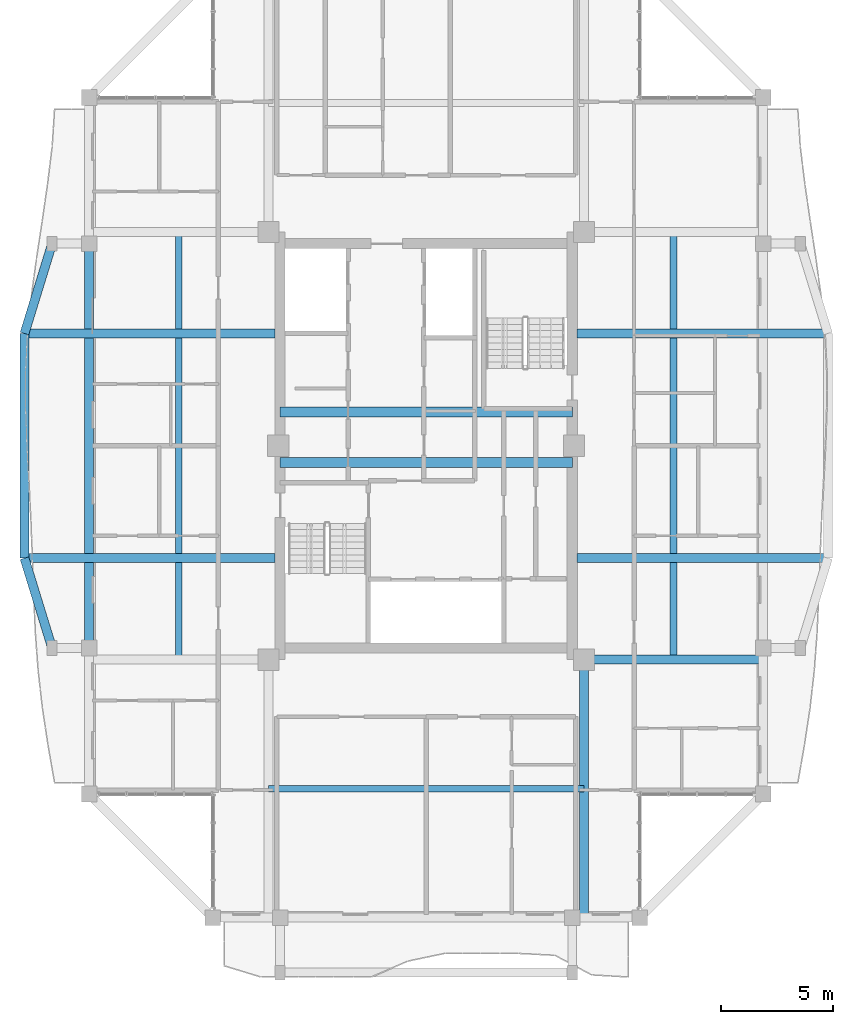
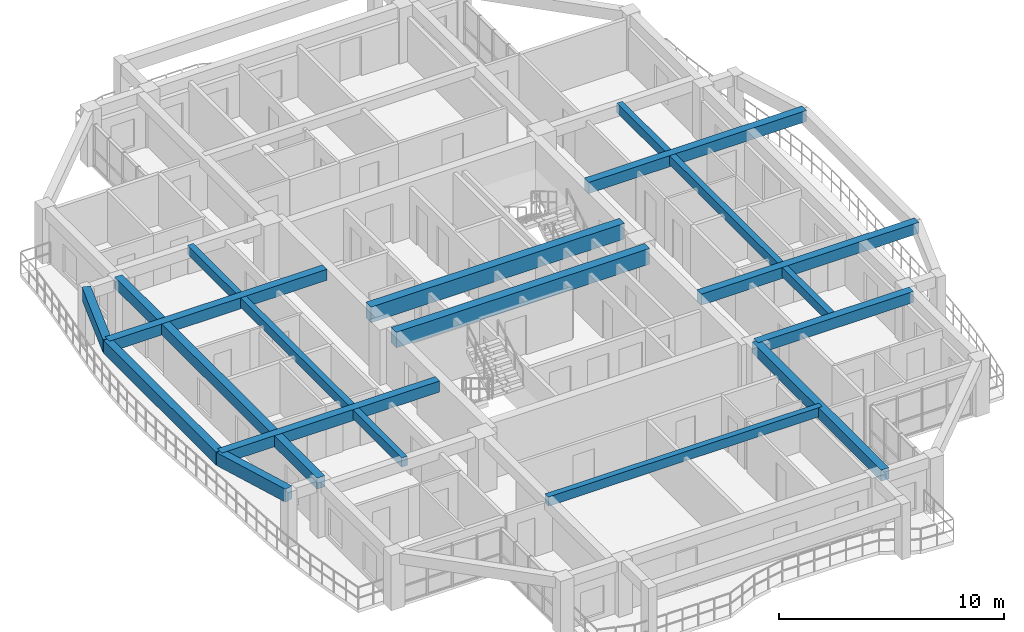
# One storey, part 5 of 24: 15 beams.
"""IFC4 building model written with IfcOpenShell, lengths in metres."""

import ifcopenshell
import ifcopenshell.guid

model = None  # the IFC model being written
_history = None  # IfcOwnerHistory: only IFC2X3 demands one
_inside = {}  # id of a spatial element -> (the spatial element, [elements in it])
_under = {}  # id of a project, library or spatial element -> (it, [spatial elements below it])
_declared = {}  # id of a project -> (the project, [libraries it declares])
_typed = {}  # id of a type object -> (the type object, [elements of that type])
_made_of = {}  # id of a material, layer set ... -> (it, [elements and type objects made of it])


def new_model(schema):
    """Start an empty IFC model of exactly this schema.

    Asked for "IFC4X3", IfcOpenShell would pick the latest addendum, in which some entities
    have other attributes; the version numbers below select the first issue.
    IFC2X3 requires an IfcOwnerHistory on every rooted entity: one is made here for all.
    """
    global model, _history
    if schema == "IFC4X3":
        model = ifcopenshell.file(schema_version=(4, 3, 0, 0))
    else:
        model = ifcopenshell.file(schema=schema)
    _inside.clear()
    _under.clear()
    _declared.clear()
    _typed.clear()
    _made_of.clear()
    _history = None
    if model.schema == "IFC2X3":
        org = make("IfcOrganization", Name="unknown")
        user = make(
            "IfcPersonAndOrganization",
            ThePerson=make("IfcPerson", FamilyName="unknown"),
            TheOrganization=org,
        )
        app = make(
            "IfcApplication",
            ApplicationDeveloper=org,
            Version="unknown",
            ApplicationFullName="unknown",
            ApplicationIdentifier="unknown",
        )
        _history = make(
            "IfcOwnerHistory",
            OwningUser=user,
            OwningApplication=app,
            ChangeAction="ADDED",
            CreationDate=0,
        )
    return model


def make(cls, **values):
    """One entity of the class cls with the attributes given. An attribute that is None is left unset."""
    return model.create_entity(
        cls, **{name: value for name, value in values.items() if value is not None}
    )


def rooted(cls, **values):
    """An entity with a GlobalId (a new one), such as an element, a storey or a relation."""
    return make(cls, GlobalId=ifcopenshell.guid.new(), OwnerHistory=_history, **values)


def si_unit(unit_type, name, prefix=None):
    """IfcSIUnit, for example si_unit("LENGTHUNIT", "METRE", prefix="MILLI")."""
    return make("IfcSIUnit", UnitType=unit_type, Prefix=prefix, Name=name)


def assignment(units):
    """IfcUnitAssignment: the units of a project."""
    return None if units is None else make("IfcUnitAssignment", Units=units)


def point(xyz):
    """IfcCartesianPoint."""
    return None if xyz is None else make("IfcCartesianPoint", Coordinates=xyz)


def direction(xyz):
    """IfcDirection."""
    return None if xyz is None else make("IfcDirection", DirectionRatios=xyz)


def frame(location, z_axis=None, x_axis=None):
    """IfcAxis2Placement3D, a coordinate frame: its origin and axes. An axis left out is left unset."""
    return make(
        "IfcAxis2Placement3D",
        Location=point(location),
        Axis=direction(z_axis),
        RefDirection=direction(x_axis),
    )


def frame_2d(location, x_axis=None):
    """IfcAxis2Placement2D, a coordinate frame in the plane: its origin and x axis."""
    return make(
        "IfcAxis2Placement2D", Location=point(location), RefDirection=direction(x_axis)
    )


def origin():
    """The frame at (0, 0, 0) with its axes left unset."""
    return frame((0.0, 0.0, 0.0))


def origin_2d():
    """The frame at (0, 0) in the plane with its x axis left unset."""
    return frame_2d((0.0, 0.0))


def place(relative_to, where):
    """IfcLocalPlacement: puts the frame where relative to a parent placement (None: the world)."""
    return make(
        "IfcLocalPlacement", PlacementRelTo=relative_to, RelativePlacement=where
    )


def context(
    kind, dimensions, precision=None, world=None, true_north=None, identifier=None
):
    """IfcGeometricRepresentationContext, for example the 3D "Model" context."""
    return make(
        "IfcGeometricRepresentationContext",
        ContextIdentifier=identifier,
        ContextType=kind,
        CoordinateSpaceDimension=dimensions,
        Precision=precision,
        WorldCoordinateSystem=world,
        TrueNorth=true_north,
    )


def subcontext(parent, identifier, kind, view, scale=None):
    """IfcGeometricRepresentationSubContext, for example "Body" below "Model"."""
    return make(
        "IfcGeometricRepresentationSubContext",
        ContextIdentifier=identifier,
        ContextType=kind,
        ParentContext=parent,
        TargetScale=scale,
        TargetView=view,
    )


def project(units=None, contexts=None):
    """IfcProject with its units and contexts."""
    return rooted(
        "IfcProject",
        Name="project",
        RepresentationContexts=contexts,
        UnitsInContext=assignment(units),
    )


def spatial(cls, under=None, at=None, **own):
    """A site, building, storey or space (cls), placed at a placement, below another one or the project."""
    s = rooted(cls, ObjectPlacement=at, **own)
    if under is not None:
        _under.setdefault(under.id(), (under, []))[1].append(s)
    return s


def profile(cls, at=None, kind="AREA", **sizes):
    """A parametric profile (cls). Its sizes go by their IFC names, for example OverallWidth=200.0."""
    return make(cls, ProfileType=kind, Position=at, **sizes)


def rectangle(**sizes):
    """IfcRectangleProfileDef."""
    return profile("IfcRectangleProfileDef", **sizes)


def extrude(swept, where, along, depth):
    """IfcExtrudedAreaSolid: the profile swept, set in the frame where, extruded along a direction by depth."""
    return make(
        "IfcExtrudedAreaSolid",
        SweptArea=swept,
        Position=where,
        ExtrudedDirection=direction(along),
        Depth=depth,
    )


def shape(context_of_items, identifier, shape_type, items):
    """IfcShapeRepresentation: the items that make up one representation, for example the "Body"."""
    return make(
        "IfcShapeRepresentation",
        ContextOfItems=context_of_items,
        RepresentationIdentifier=identifier,
        RepresentationType=shape_type,
        Items=items,
    )


def source(mapping_origin, context_of_items, identifier, shape_type, items):
    """IfcRepresentationMap: a shape defined once, which mapped items show again and again."""
    return make(
        "IfcRepresentationMap",
        MappingOrigin=mapping_origin,
        MappedRepresentation=shape(context_of_items, identifier, shape_type, items),
    )


def transform(
    local_origin,
    x_axis=None,
    y_axis=None,
    z_axis=None,
    scale=None,
    scale2=None,
    scale3=None,
    uniform=True,
):
    """IfcCartesianTransformationOperator3D, or its non-uniform kind. x_axis, y_axis, z_axis: its Axis1, 2, 3."""
    if uniform:
        return make(
            "IfcCartesianTransformationOperator3D",
            Axis1=direction(x_axis),
            Axis2=direction(y_axis),
            LocalOrigin=point(local_origin),
            Scale=scale,
            Axis3=direction(z_axis),
        )
    return make(
        "IfcCartesianTransformationOperator3DnonUniform",
        Axis1=direction(x_axis),
        Axis2=direction(y_axis),
        LocalOrigin=point(local_origin),
        Scale=scale,
        Axis3=direction(z_axis),
        Scale2=scale2,
        Scale3=scale3,
    )


def mapped(mapping_source, mapping_target):
    """IfcMappedItem: shows the shape of a source again, moved by a transform."""
    return make(
        "IfcMappedItem", MappingSource=mapping_source, MappingTarget=mapping_target
    )


def material(Name=None, Category=None):
    """IfcMaterial."""
    return make("IfcMaterial", Name=Name, Category=Category)


def material_profile(
    of_material, cross_section, Name=None, Category=None, Priority=None
):
    """IfcMaterialProfile: a cross section and its material."""
    return make(
        "IfcMaterialProfile",
        Name=Name,
        Material=of_material,
        Profile=cross_section,
        Priority=Priority,
        Category=Category,
    )


def profile_set(profiles, Name=None, composite=None):
    """IfcMaterialProfileSet."""
    return make(
        "IfcMaterialProfileSet",
        Name=Name,
        MaterialProfiles=profiles,
        CompositeProfile=composite,
    )


def made_of(thing, what):
    """Note that an element or type object is made of a material, layer set ...; save() writes the relation."""
    if what is not None:
        _made_of.setdefault(what.id(), (what, []))[1].append(thing)
    return thing


def type_object(cls, material=None, **own):
    """A type object (cls), such as IfcWallType, which elements share."""
    return made_of(rooted(cls, **own), material)


def element(
    cls,
    number,
    at=None,
    inside=None,
    cuts=None,
    type_object=None,
    material=None,
    context=None,
    identifier="Body",
    shape_type=None,
    held_by="IfcProductDefinitionShape",
    body=None,
    shapes=None,
    **own,
):
    """One element of the class cls, such as IfcWall. Its Tag is "e" and its number.

    at: its placement. inside: the storey or other place that contains it. cuts: it is an
    opening in that element (IfcRelVoidsElement). A single representation is given by context,
    identifier, shape_type and body (its items); several are given by shapes. held_by: the class
    of the entity that holds the representations. save() writes the other relations.
    """
    e = rooted(cls, Tag="e%d" % number, ObjectPlacement=at, **own)
    if body is not None:
        shapes = [shape(context, identifier, shape_type, body)]
    if shapes is not None:
        e.Representation = make(held_by, Representations=shapes)
    if inside is not None:
        _inside.setdefault(inside.id(), (inside, []))[1].append(e)
    if cuts is not None:
        rooted(
            "IfcRelVoidsElement", RelatingBuildingElement=cuts, RelatedOpeningElement=e
        )
    if type_object is not None:
        _typed.setdefault(type_object.id(), (type_object, []))[1].append(e)
    return made_of(e, material)


def aggregate(whole, parts):
    """IfcRelAggregates: a whole, such as a stair, and the parts it consists of."""
    return rooted("IfcRelAggregates", RelatingObject=whole, RelatedObjects=parts)


def save(model, path):
    """Write the relations noted so far, then the file.

    IfcRelAggregates (storeys below a building ...), IfcRelContainedInSpatialStructure (elements
    in a storey), IfcRelDefinesByType, IfcRelAssociatesMaterial and IfcRelDeclares: one each for
    every whole, place, type object, material and project.
    """
    for whole, parts in _under.values():
        aggregate(whole, parts)
    for where, things in _inside.values():
        rooted(
            "IfcRelContainedInSpatialStructure",
            RelatedElements=things,
            RelatingStructure=where,
        )
    for kind, things in _typed.values():
        rooted("IfcRelDefinesByType", RelatedObjects=things, RelatingType=kind)
    for what, things in _made_of.values():
        rooted("IfcRelAssociatesMaterial", RelatedObjects=things, RelatingMaterial=what)
    for by, libraries in _declared.values():
        rooted("IfcRelDeclares", RelatingContext=by, RelatedDefinitions=libraries)
    model.write(path)


model = new_model("IFC4")

# Units and contexts
model_context = context("Model", 3, precision=1e-05, world=origin(), true_north=direction((0.0, 1.0)))
body_context = subcontext(model_context, "Body", "Model", "MODEL_VIEW")
ifc_project = project(units=[si_unit("LENGTHUNIT", "METRE"), si_unit("AREAUNIT", "SQUARE_METRE"), si_unit("VOLUMEUNIT", "CUBIC_METRE"), si_unit("PLANEANGLEUNIT", "RADIAN"), si_unit("MASSUNIT", "GRAM", prefix="KILO")], contexts=[model_context])

# Site, building, storey
site_placement = place(None, origin())
site = spatial("IfcSite", under=ifc_project, at=site_placement, CompositionType="ELEMENT")
building_placement = place(site_placement, origin())
building = spatial("IfcBuilding", under=site, at=building_placement, Name="Saelheon Loggia Tower", CompositionType="ELEMENT")
storey_placement = place(building_placement, frame((0.0, 0.0, 246.0)))
storey = spatial("IfcBuildingStorey", under=building, at=storey_placement, Name="L76", CompositionType="ELEMENT", Elevation=246.0)

# Beams
ifc_material_1 = material(Name="Concrete C50/60", Category="concrete")
ifc_material_profile_1 = material_profile(ifc_material_1, rectangle(XDim=0.449951171875, YDim=0.85009765625, at=origin_2d()), Name="RC-450x850")
ifc_profile_set_1 = profile_set([ifc_material_profile_1], Name="Concrete C50/60")
beam_type_1 = type_object("IfcBeamType", Name="Beam_CoreLintel_RC450x850", PredefinedType="LINTEL", material=ifc_profile_set_1)
shared_shape_1 = source(origin(), body_context, "Body", "SweptSolid", [
    extrude(rectangle(XDim=0.449951171875, YDim=0.85009765625, at=origin_2d()), origin(), (0.0, 0.0, 1.0), 13.0),
])
for number, where, z_axis, x_axis, name in (
    (1, (31.5, 26.25, 2.574951171875), (1.0, 0.0, 0.0), (0.0, 1.0, 0.0), "L76 Core Coupling Lintel 1"),
    (2, (31.5, 28.5, 2.574951171875), (1.0, 0.0, 0.0), (0.0, 1.0, 0.0), "L76 Core Coupling Lintel 2"),
):
    element("IfcBeam", number, at=place(storey_placement, frame(where, z_axis=z_axis, x_axis=x_axis)), inside=storey, type_object=beam_type_1, Name=name, PredefinedType="LINTEL", context=body_context, shape_type="MappedRepresentation", body=[
        mapped(shared_shape_1, transform((0.0, 0.0, 0.0), scale=1.0)),
    ])
ifc_material_2 = material(Name="Concrete C40/50", Category="concrete")
ifc_material_profile_2 = material_profile(ifc_material_2, rectangle(XDim=0.300048828125, YDim=0.5, at=origin_2d()), Name="RC-300x500")
ifc_profile_set_2 = profile_set([ifc_material_profile_2], Name="Concrete C40/50")
beam_type_2 = type_object("IfcBeamType", Name="Beam_Joist_RC300x500", PredefinedType="JOIST", material=ifc_profile_set_2)
shared_shape_2 = source(origin(), body_context, "Body", "SweptSolid", [
    extrude(rectangle(XDim=0.300048828125, YDim=0.5, at=origin_2d()), origin(), (0.0, 0.0, 1.0), 14.0400390625),
])
beam_1_placement = place(storey_placement, frame((30.97998046875, 11.739990234375, 2.75), z_axis=(1.0, 0.0, 0.0), x_axis=(0.0, 1.0, 0.0)))
element("IfcBeam", 3, at=beam_1_placement, inside=storey, type_object=beam_type_2, Name="L76 South Floor Joist", PredefinedType="JOIST", context=body_context, shape_type="MappedRepresentation", body=[
    mapped(shared_shape_2, transform((0.0, 0.0, 0.0), scale=1.0)),
])
shared_shape_3 = source(origin(), body_context, "Body", "SweptSolid", [
    extrude(rectangle(XDim=0.300048828125, YDim=0.5, at=origin_2d()), origin(), (0.0, 0.0, 1.0), 19.0400390625),
])
for number, where, z_axis, x_axis, name in (
    (4, (26.989990234375, 17.47998046875, 2.75), (0.0, 1.0, 0.0), (-1.0, 0.0, 0.0), "L76 West Floor Joist"),
    (5, (49.010009765625, 17.47998046875, 2.75), (0.0, 1.0, 0.0), (-1.0, 0.0, 0.0), "L76 East Floor Joist"),
):
    element("IfcBeam", number, at=place(storey_placement, frame(where, z_axis=z_axis, x_axis=x_axis)), inside=storey, type_object=beam_type_2, Name=name, PredefinedType="JOIST", context=body_context, shape_type="MappedRepresentation", body=[
        mapped(shared_shape_3, transform((0.0, 0.0, 0.0), scale=1.0)),
    ])
ifc_material_3 = material(Name="Precast Concrete C45/55", Category="concrete")
ifc_material_profile_3 = material_profile(ifc_material_3, rectangle(XDim=0.39990234375, YDim=0.699951171875, at=origin_2d()), Name="RC-400x700")
ifc_profile_set_3 = profile_set([ifc_material_profile_3], Name="Precast Concrete C45/55")
beam_type_3 = type_object("IfcBeamType", Name="Beam_LoggiaSpandrel_RC400x700", PredefinedType="SPANDREL", material=ifc_profile_set_3)
shared_shape_4 = source(origin(), body_context, "Body", "SweptSolid", [
    extrude(rectangle(XDim=0.39990234375, YDim=0.699951171875, at=origin_2d()), origin(), (0.0, 0.0, 1.0), 4.184814453125),
])
for number, where, z_axis, x_axis, name in (
    (6, (21.35009765625, 18.0, 2.64990234375), (-0.293913664135, 0.955831971653, 0.0), (-0.955831971653, -0.293913664135, 0.0), "L76 Curved Loggia Spandrel W 1"),
    (7, (20.1201171875, 32.0, 2.64990234375), (0.293913664135, 0.955831971653, 0.0), (-0.955831971653, 0.293913664135, 0.0), "L76 Curved Loggia Spandrel W 3"),
):
    element("IfcBeam", number, at=place(storey_placement, frame(where, z_axis=z_axis, x_axis=x_axis)), inside=storey, type_object=beam_type_3, Name=name, PredefinedType="SPANDREL", context=body_context, shape_type="MappedRepresentation", body=[
        mapped(shared_shape_4, transform((0.0, 0.0, 0.0), scale=1.0)),
    ])
shared_shape_5 = source(origin(), body_context, "Body", "SweptSolid", [
    extrude(rectangle(XDim=0.39990234375, YDim=0.699951171875, at=origin_2d()), origin(), (0.0, 0.0, 1.0), 10.0),
])
beam_2_placement = place(storey_placement, frame((20.1201171875, 22.0, 2.64990234375), z_axis=(0.0, 1.0, 0.0), x_axis=(-1.0, 0.0, 0.0)))
element("IfcBeam", 8, at=beam_2_placement, inside=storey, type_object=beam_type_3, Name="L76 Curved Loggia Spandrel W 2", PredefinedType="SPANDREL", context=body_context, shape_type="MappedRepresentation", body=[
    mapped(shared_shape_5, transform((0.0, 0.0, 0.0), scale=1.0)),
])
ifc_material_profile_4 = material_profile(ifc_material_2, rectangle(XDim=0.39990234375, YDim=0.60009765625, at=origin_2d()), Name="RC-400x600")
ifc_profile_set_4 = profile_set([ifc_material_profile_4], Name="Concrete C40/50")
beam_type_4 = type_object("IfcBeamType", Name="Beam_PerimUpper_RC400x600", PredefinedType="BEAM", material=ifc_profile_set_4)
shared_shape_6 = source(origin(), body_context, "Body", "SweptSolid", [
    extrude(rectangle(XDim=0.39990234375, YDim=0.60009765625, at=origin_2d()), origin(), (0.0, 0.0, 1.0), 18.0),
])
beam_3_placement = place(storey_placement, frame((23.0, 36.0, 2.699951171875), z_axis=(0.0, -1.0, 0.0), x_axis=(1.0, 0.0, 0.0)))
element("IfcBeam", 9, at=beam_3_placement, inside=storey, type_object=beam_type_4, Name="L76 Perimeter Frame Girder 14", PredefinedType="BEAM", context=body_context, shape_type="MappedRepresentation", body=[
    mapped(shared_shape_6, transform((0.0, 0.0, 0.0), scale=1.0)),
])
ifc_material_profile_5 = material_profile(ifc_material_2, rectangle(XDim=0.39990234375, YDim=0.60009765625, at=origin_2d()), Name="RC-400x600")
ifc_profile_set_5 = profile_set([ifc_material_profile_5], Name="Concrete C40/50")
beam_type_5 = type_object("IfcBeamType", Name="Beam_UpperGirder_RC400x600", PredefinedType="BEAM", material=ifc_profile_set_5)
shared_shape_7 = source(origin(), body_context, "Body", "SweptSolid", [
    extrude(rectangle(XDim=0.39990234375, YDim=0.60009765625, at=origin_2d()), origin(), (0.0, 0.0, 1.0), 11.47998046875),
])
beam_4_placement = place(storey_placement, frame((45.02001953125, 17.47998046875, 2.699951171875), z_axis=(0.0, -1.0, 0.0), x_axis=(1.0, 0.0, 0.0)))
element("IfcBeam", 10, at=beam_4_placement, inside=storey, type_object=beam_type_5, Name="L76 Radial Floor Girder RAD-SE-S", PredefinedType="BEAM", context=body_context, shape_type="MappedRepresentation", body=[
    mapped(shared_shape_7, transform((0.0, 0.0, 0.0), scale=1.0)),
])
shared_shape_8 = source(origin(), body_context, "Body", "SweptSolid", [
    extrude(rectangle(XDim=0.39990234375, YDim=0.60009765625, at=origin_2d()), origin(), (0.0, 0.0, 1.0), 7.97998046875),
])
beam_5_placement = place(storey_placement, frame((45.02001953125, 17.47998046875, 2.699951171875), z_axis=(1.0, 0.0, 0.0), x_axis=(0.0, 1.0, 0.0)))
element("IfcBeam", 11, at=beam_5_placement, inside=storey, type_object=beam_type_5, Name="L76 Radial Floor Girder RAD-SE-E", PredefinedType="BEAM", context=body_context, shape_type="MappedRepresentation", body=[
    mapped(shared_shape_8, transform((0.0, 0.0, 0.0), scale=1.0)),
])
ifc_material_profile_6 = material_profile(ifc_material_3, rectangle(XDim=0.39990234375, YDim=0.60009765625, at=origin_2d()), Name="RC-400x600")
ifc_profile_set_6 = profile_set([ifc_material_profile_6], Name="Precast Concrete C45/55")
beam_type_6 = type_object("IfcBeamType", Name="Beam_LoggiaTie_RC400x600", PredefinedType="BEAM", material=ifc_profile_set_6)
shared_shape_9 = source(origin(), body_context, "Body", "SweptSolid", [
    extrude(rectangle(XDim=0.39990234375, YDim=0.60009765625, at=origin_2d()), origin(), (0.0, 0.0, 1.0), 11.159912109375),
])
for number, where, z_axis, x_axis, name in (
    (12, (44.719970703125, 22.0, 2.699951171875), (1.0, 0.0, 0.0), (0.0, 1.0, 0.0), "L76 Curved Facade Outrigger Beam E 1"),
    (13, (44.719970703125, 32.0, 2.699951171875), (1.0, 0.0, 0.0), (0.0, 1.0, 0.0), "L76 Curved Facade Outrigger Beam E 2"),
    (14, (31.280029296875, 22.0, 2.699951171875), (-1.0, 0.0, 0.0), (0.0, -1.0, 0.0), "L76 Curved Facade Outrigger Beam W 1"),
    (15, (31.280029296875, 32.0, 2.699951171875), (-1.0, 0.0, 0.0), (0.0, -1.0, 0.0), "L76 Curved Facade Outrigger Beam W 2"),
):
    element("IfcBeam", number, at=place(storey_placement, frame(where, z_axis=z_axis, x_axis=x_axis)), inside=storey, type_object=beam_type_6, Name=name, PredefinedType="BEAM", context=body_context, shape_type="MappedRepresentation", body=[
        mapped(shared_shape_9, transform((0.0, 0.0, 0.0), scale=1.0)),
    ])

save(model, "model.ifc")
